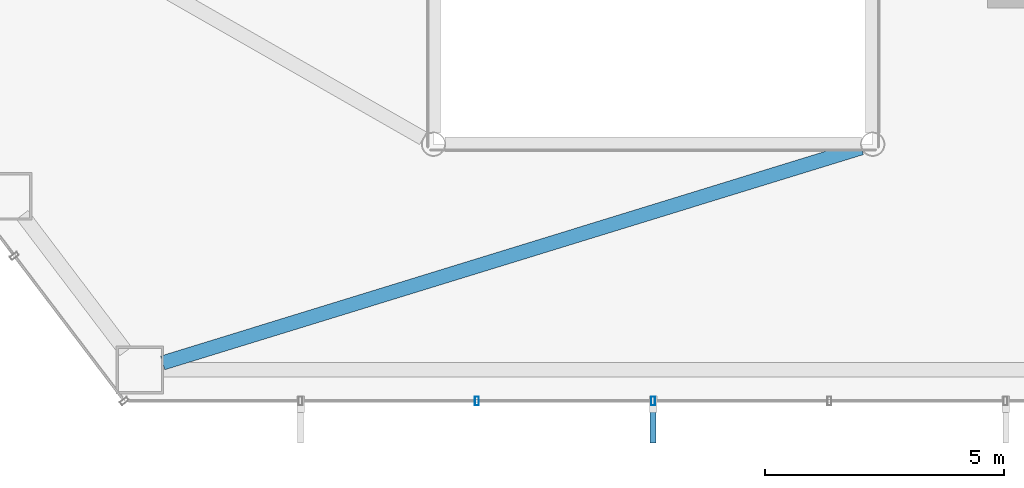
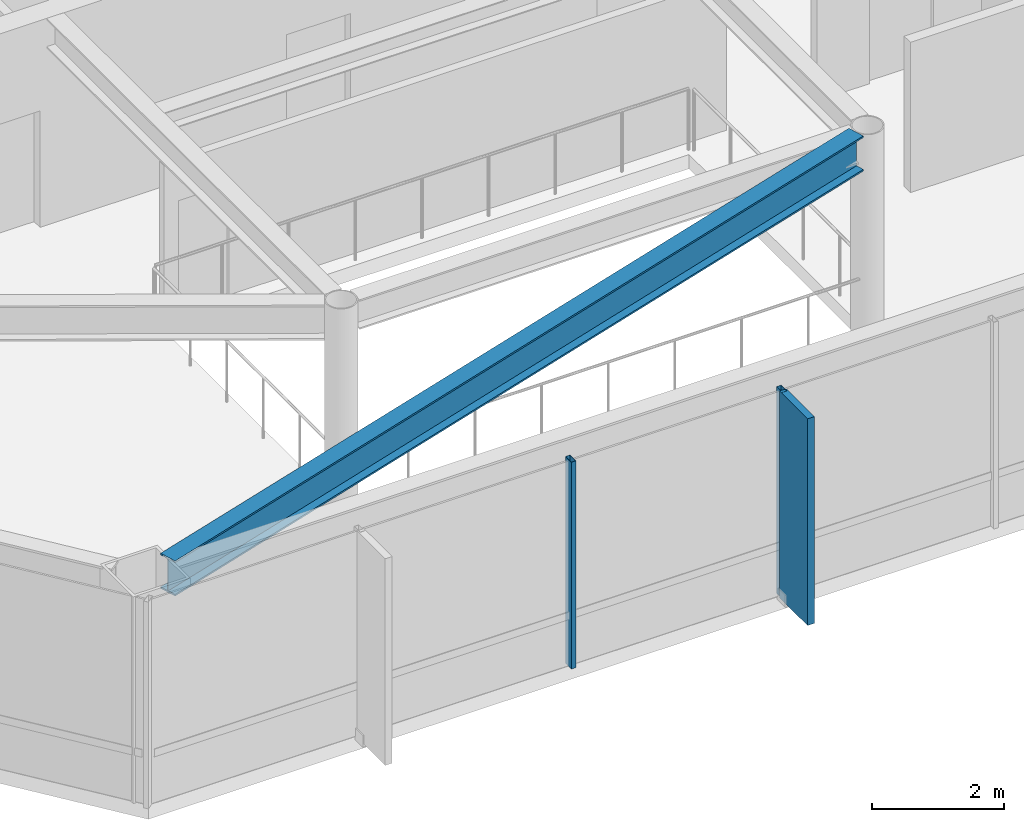
# One storey, part 6 of 25: 3 members, 1 beam, 1 element without a shape of its own.
"""IFC4 building model written with IfcOpenShell, lengths in metres."""

import ifcopenshell
import ifcopenshell.guid

model = None  # the IFC model being written
_history = None  # IfcOwnerHistory: only IFC2X3 demands one
_inside = {}  # id of a spatial element -> (the spatial element, [elements in it])
_under = {}  # id of a project, library or spatial element -> (it, [spatial elements below it])
_declared = {}  # id of a project -> (the project, [libraries it declares])
_typed = {}  # id of a type object -> (the type object, [elements of that type])
_made_of = {}  # id of a material, layer set ... -> (it, [elements and type objects made of it])


def new_model(schema):
    """Start an empty IFC model of exactly this schema.

    Asked for "IFC4X3", IfcOpenShell would pick the latest addendum, in which some entities
    have other attributes; the version numbers below select the first issue.
    IFC2X3 requires an IfcOwnerHistory on every rooted entity: one is made here for all.
    """
    global model, _history
    if schema == "IFC4X3":
        model = ifcopenshell.file(schema_version=(4, 3, 0, 0))
    else:
        model = ifcopenshell.file(schema=schema)
    _inside.clear()
    _under.clear()
    _declared.clear()
    _typed.clear()
    _made_of.clear()
    _history = None
    if model.schema == "IFC2X3":
        org = make("IfcOrganization", Name="unknown")
        user = make(
            "IfcPersonAndOrganization",
            ThePerson=make("IfcPerson", FamilyName="unknown"),
            TheOrganization=org,
        )
        app = make(
            "IfcApplication",
            ApplicationDeveloper=org,
            Version="unknown",
            ApplicationFullName="unknown",
            ApplicationIdentifier="unknown",
        )
        _history = make(
            "IfcOwnerHistory",
            OwningUser=user,
            OwningApplication=app,
            ChangeAction="ADDED",
            CreationDate=0,
        )
    return model


def make(cls, **values):
    """One entity of the class cls with the attributes given. An attribute that is None is left unset."""
    return model.create_entity(
        cls, **{name: value for name, value in values.items() if value is not None}
    )


def rooted(cls, **values):
    """An entity with a GlobalId (a new one), such as an element, a storey or a relation."""
    return make(cls, GlobalId=ifcopenshell.guid.new(), OwnerHistory=_history, **values)


def si_unit(unit_type, name, prefix=None):
    """IfcSIUnit, for example si_unit("LENGTHUNIT", "METRE", prefix="MILLI")."""
    return make("IfcSIUnit", UnitType=unit_type, Prefix=prefix, Name=name)


def assignment(units):
    """IfcUnitAssignment: the units of a project."""
    return None if units is None else make("IfcUnitAssignment", Units=units)


def point(xyz):
    """IfcCartesianPoint."""
    return None if xyz is None else make("IfcCartesianPoint", Coordinates=xyz)


def direction(xyz):
    """IfcDirection."""
    return None if xyz is None else make("IfcDirection", DirectionRatios=xyz)


def frame(location, z_axis=None, x_axis=None):
    """IfcAxis2Placement3D, a coordinate frame: its origin and axes. An axis left out is left unset."""
    return make(
        "IfcAxis2Placement3D",
        Location=point(location),
        Axis=direction(z_axis),
        RefDirection=direction(x_axis),
    )


def frame_2d(location, x_axis=None):
    """IfcAxis2Placement2D, a coordinate frame in the plane: its origin and x axis."""
    return make(
        "IfcAxis2Placement2D", Location=point(location), RefDirection=direction(x_axis)
    )


def origin():
    """The frame at (0, 0, 0) with its axes left unset."""
    return frame((0.0, 0.0, 0.0))


def origin_2d():
    """The frame at (0, 0) in the plane with its x axis left unset."""
    return frame_2d((0.0, 0.0))


def place(relative_to, where):
    """IfcLocalPlacement: puts the frame where relative to a parent placement (None: the world)."""
    return make(
        "IfcLocalPlacement", PlacementRelTo=relative_to, RelativePlacement=where
    )


def context(
    kind, dimensions, precision=None, world=None, true_north=None, identifier=None
):
    """IfcGeometricRepresentationContext, for example the 3D "Model" context."""
    return make(
        "IfcGeometricRepresentationContext",
        ContextIdentifier=identifier,
        ContextType=kind,
        CoordinateSpaceDimension=dimensions,
        Precision=precision,
        WorldCoordinateSystem=world,
        TrueNorth=true_north,
    )


def subcontext(parent, identifier, kind, view, scale=None):
    """IfcGeometricRepresentationSubContext, for example "Body" below "Model"."""
    return make(
        "IfcGeometricRepresentationSubContext",
        ContextIdentifier=identifier,
        ContextType=kind,
        ParentContext=parent,
        TargetScale=scale,
        TargetView=view,
    )


def project(units=None, contexts=None):
    """IfcProject with its units and contexts."""
    return rooted(
        "IfcProject",
        Name="project",
        RepresentationContexts=contexts,
        UnitsInContext=assignment(units),
    )


def spatial(cls, under=None, at=None, **own):
    """A site, building, storey or space (cls), placed at a placement, below another one or the project."""
    s = rooted(cls, ObjectPlacement=at, **own)
    if under is not None:
        _under.setdefault(under.id(), (under, []))[1].append(s)
    return s


def profile(cls, at=None, kind="AREA", **sizes):
    """A parametric profile (cls). Its sizes go by their IFC names, for example OverallWidth=200.0."""
    return make(cls, ProfileType=kind, Position=at, **sizes)


def rectangle(**sizes):
    """IfcRectangleProfileDef."""
    return profile("IfcRectangleProfileDef", **sizes)


def hollow_rectangle(**sizes):
    """IfcRectangleHollowProfileDef."""
    return profile("IfcRectangleHollowProfileDef", **sizes)


def i_section(**sizes):
    """IfcIShapeProfileDef."""
    return profile("IfcIShapeProfileDef", **sizes)


def extrude(swept, where, along, depth):
    """IfcExtrudedAreaSolid: the profile swept, set in the frame where, extruded along a direction by depth."""
    return make(
        "IfcExtrudedAreaSolid",
        SweptArea=swept,
        Position=where,
        ExtrudedDirection=direction(along),
        Depth=depth,
    )


def shape(context_of_items, identifier, shape_type, items):
    """IfcShapeRepresentation: the items that make up one representation, for example the "Body"."""
    return make(
        "IfcShapeRepresentation",
        ContextOfItems=context_of_items,
        RepresentationIdentifier=identifier,
        RepresentationType=shape_type,
        Items=items,
    )


def material(Name=None, Category=None):
    """IfcMaterial."""
    return make("IfcMaterial", Name=Name, Category=Category)


def layer(
    of_material, thickness, ventilated=None, Name=None, Category=None, Priority=None
):
    """IfcMaterialLayer: one layer of a wall or slab, of a material (None: an air gap)."""
    return make(
        "IfcMaterialLayer",
        Material=of_material,
        LayerThickness=thickness,
        IsVentilated=ventilated,
        Name=Name,
        Category=Category,
        Priority=Priority,
    )


def layer_set(layers, Name=None):
    """IfcMaterialLayerSet."""
    return make("IfcMaterialLayerSet", MaterialLayers=layers, LayerSetName=Name)


def material_profile(
    of_material, cross_section, Name=None, Category=None, Priority=None
):
    """IfcMaterialProfile: a cross section and its material."""
    return make(
        "IfcMaterialProfile",
        Name=Name,
        Material=of_material,
        Profile=cross_section,
        Priority=Priority,
        Category=Category,
    )


def profile_set(profiles, Name=None, composite=None):
    """IfcMaterialProfileSet."""
    return make(
        "IfcMaterialProfileSet",
        Name=Name,
        MaterialProfiles=profiles,
        CompositeProfile=composite,
    )


def made_of(thing, what):
    """Note that an element or type object is made of a material, layer set ...; save() writes the relation."""
    if what is not None:
        _made_of.setdefault(what.id(), (what, []))[1].append(thing)
    return thing


def type_object(cls, material=None, **own):
    """A type object (cls), such as IfcWallType, which elements share."""
    return made_of(rooted(cls, **own), material)


def element(
    cls,
    number,
    at=None,
    inside=None,
    cuts=None,
    type_object=None,
    material=None,
    context=None,
    identifier="Body",
    shape_type=None,
    held_by="IfcProductDefinitionShape",
    body=None,
    shapes=None,
    **own,
):
    """One element of the class cls, such as IfcWall. Its Tag is "e" and its number.

    at: its placement. inside: the storey or other place that contains it. cuts: it is an
    opening in that element (IfcRelVoidsElement). A single representation is given by context,
    identifier, shape_type and body (its items); several are given by shapes. held_by: the class
    of the entity that holds the representations. save() writes the other relations.
    """
    e = rooted(cls, Tag="e%d" % number, ObjectPlacement=at, **own)
    if body is not None:
        shapes = [shape(context, identifier, shape_type, body)]
    if shapes is not None:
        e.Representation = make(held_by, Representations=shapes)
    if inside is not None:
        _inside.setdefault(inside.id(), (inside, []))[1].append(e)
    if cuts is not None:
        rooted(
            "IfcRelVoidsElement", RelatingBuildingElement=cuts, RelatedOpeningElement=e
        )
    if type_object is not None:
        _typed.setdefault(type_object.id(), (type_object, []))[1].append(e)
    return made_of(e, material)


def aggregate(whole, parts):
    """IfcRelAggregates: a whole, such as a stair, and the parts it consists of."""
    return rooted("IfcRelAggregates", RelatingObject=whole, RelatedObjects=parts)


def save(model, path):
    """Write the relations noted so far, then the file.

    IfcRelAggregates (storeys below a building ...), IfcRelContainedInSpatialStructure (elements
    in a storey), IfcRelDefinesByType, IfcRelAssociatesMaterial and IfcRelDeclares: one each for
    every whole, place, type object, material and project.
    """
    for whole, parts in _under.values():
        aggregate(whole, parts)
    for where, things in _inside.values():
        rooted(
            "IfcRelContainedInSpatialStructure",
            RelatedElements=things,
            RelatingStructure=where,
        )
    for kind, things in _typed.values():
        rooted("IfcRelDefinesByType", RelatedObjects=things, RelatingType=kind)
    for what, things in _made_of.values():
        rooted("IfcRelAssociatesMaterial", RelatedObjects=things, RelatingMaterial=what)
    for by, libraries in _declared.values():
        rooted("IfcRelDeclares", RelatingContext=by, RelatedDefinitions=libraries)
    model.write(path)


model = new_model("IFC4")

# Units and contexts
model_context = context("Model", 3, precision=1e-05, world=origin(), true_north=direction((0.0, 1.0)))
body_context = subcontext(model_context, "Body", "Model", "MODEL_VIEW")
ifc_project = project(units=[si_unit("LENGTHUNIT", "METRE"), si_unit("AREAUNIT", "SQUARE_METRE"), si_unit("VOLUMEUNIT", "CUBIC_METRE"), si_unit("PLANEANGLEUNIT", "RADIAN"), si_unit("MASSUNIT", "GRAM", prefix="KILO")], contexts=[model_context])

# Site, building, storey
site_placement = place(None, origin())
site = spatial("IfcSite", under=ifc_project, at=site_placement, CompositionType="ELEMENT")
building_placement = place(site_placement, origin())
building = spatial("IfcBuilding", under=site, at=building_placement, Name="Zarrinselat Tower", CompositionType="ELEMENT")
storey_placement = place(building_placement, frame((0.0, 0.0, 39.780029296875)))
storey = spatial("IfcBuildingStorey", under=building, at=storey_placement, Name="L09", CompositionType="ELEMENT", Elevation=39.780029296875)

# Beam
ifc_material_1 = material(Name="Steel S355J2", Category="steel")
ifc_material_profile_1 = material_profile(ifc_material_1, i_section(OverallWidth=0.300048828125, OverallDepth=0.64990234375, WebThickness=0.01611328125, FlangeThickness=0.031005859375, at=origin_2d()), Name="HEB 650")
ifc_profile_set_1 = profile_set([ifc_material_profile_1], Name="Steel S355J2")
beam_type = type_object("IfcBeamType", Name="BM-HEB650", PredefinedType="BEAM", material=ifc_profile_set_1)
beam_placement = place(storey_placement, frame((28.128173828125, 19.820556640625, 3.494873046875), z_axis=(0.95571554885, 0.294292014308, 0.0), x_axis=(-0.294292014308, 0.95571554885, 0.0)))
element("IfcBeam", 1, at=beam_placement, inside=storey, type_object=beam_type, Name="L09 Radial Primary Girder RG10", PredefinedType="BEAM", context=body_context, shape_type="SweptSolid", body=[
    extrude(i_section(OverallWidth=0.300048828125, OverallDepth=0.64990234375, WebThickness=0.01611328125, FlangeThickness=0.031005859375, at=origin_2d()), origin(), (0.0, 0.0, 1.0), 15.310791015625),
])

# Curtain wall, members
ifc_material_2 = material(Name="Extruded Aluminium Alloy EN AW-6063 T6", Category="aluminium")
ifc_layer = layer(ifc_material_2, 0.18505859375)
ifc_layer_set = layer_set([ifc_layer], Name="Extruded Aluminium Alloy EN AW-6063 T6")
curtain_wall_type = type_object("IfcCurtainWallType", Name="CWS-OFF", PredefinedType="NOTDEFINED", material=ifc_layer_set)
curtain_wall_placement = place(storey_placement, origin())
curtain_wall = element("IfcCurtainWall", 2, at=curtain_wall_placement, inside=storey, type_object=curtain_wall_type, Name="L09 Unitised Curtain Wall CW-L09-E04", PredefinedType="NOTDEFINED")
ifc_material_3 = material(Name="Extruded Aluminium Alloy EN AW-6063 T6", Category="aluminium")
ifc_material_profile_2 = material_profile(ifc_material_3, hollow_rectangle(XDim=0.080078125, YDim=0.179931640625, WallThickness=0.0048828125, at=origin_2d()), Name="RHS 180x80x5")
ifc_profile_set_2 = profile_set([ifc_material_profile_2], Name="Extruded Aluminium Alloy EN AW-6063 T6")
member_type_1 = type_object("IfcMemberType", Name="MEM-CW-MUL", PredefinedType="MULLION", material=ifc_profile_set_2)
member_1_placement = place(storey_placement, frame((34.70849609375, 19.02294921875, 0.0), z_axis=(0.0, 0.0, 1.0), x_axis=(1.0, 0.0, 0.0)))
member_1 = element("IfcMember", 3, at=member_1_placement, type_object=member_type_1, Name="CW-L09-E04 Mullion 2", PredefinedType="MULLION", context=body_context, shape_type="SweptSolid", body=[
    extrude(hollow_rectangle(XDim=0.080078125, YDim=0.179931640625, WallThickness=0.0048828125, at=origin_2d()), origin(), (0.0, 0.0, 1.0), 3.820068359375),
])
member_2_placement = place(storey_placement, frame((38.39990234375, 19.02294921875, 0.0), z_axis=(0.0, 0.0, 1.0), x_axis=(1.0, 0.0, 0.0)))
member_2 = element("IfcMember", 4, at=member_2_placement, type_object=member_type_1, Name="CW-L09-E04 Mullion 3", PredefinedType="MULLION", context=body_context, shape_type="SweptSolid", body=[
    extrude(hollow_rectangle(XDim=0.080078125, YDim=0.179931640625, WallThickness=0.0048828125, at=origin_2d()), origin(), (0.0, 0.0, 1.0), 3.820068359375),
])
ifc_material_4 = material(Name="Honed Cream Travertine Stone", Category="masonry")
ifc_material_profile_3 = material_profile(ifc_material_4, rectangle(XDim=0.1201171875, YDim=0.85009765625, at=origin_2d()), Name="FIN 850x120")
ifc_profile_set_3 = profile_set([ifc_material_profile_3], Name="Honed Cream Travertine Stone")
member_type_2 = type_object("IfcMemberType", Name="MEM-STONE-FIN", PredefinedType="USERDEFINED", material=ifc_profile_set_3)
member_3_placement = place(storey_placement, frame((38.39990234375, 18.56298828125, 0.0), z_axis=(0.0, 0.0, 1.0), x_axis=(-1.0, 0.0, 0.0)))
member_3 = element("IfcMember", 5, at=member_3_placement, type_object=member_type_2, Name="L09 Stone Shading Fin CW-L09-E04-03", ObjectType="FIN", PredefinedType="USERDEFINED", context=body_context, shape_type="SweptSolid", body=[
    extrude(rectangle(XDim=0.1201171875, YDim=0.85009765625, at=origin_2d()), origin(), (0.0, 0.0, 1.0), 3.820068359375),
])
aggregate(curtain_wall, [member_1, member_2, member_3])

save(model, "model.ifc")
